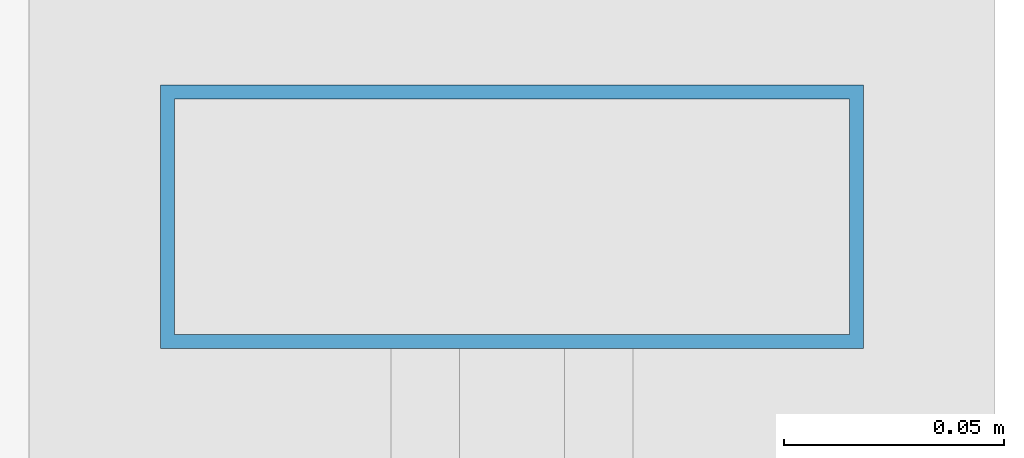
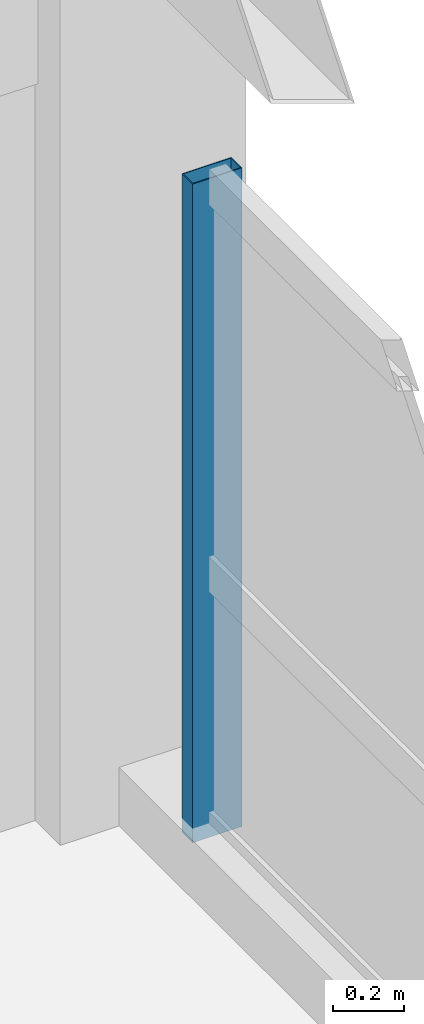
# One storey, part 17 of 22: 1 member, 1 element without a shape of its own.
"""IFC4 building model written with IfcOpenShell, lengths in metres."""

from ifc_helpers import new_model, si_unit, direction, frame, origin, origin_2d, place, context, subcontext, project, spatial, hollow_rectangle, extrude, material, material_profile, profile_set, type_object, element, aggregate, save


model = new_model("IFC4")

# Units and contexts
model_context = context("Model", 3, precision=1e-05, world=origin(), true_north=direction((0.0, 1.0)))
body_context = subcontext(model_context, "Body", "Model", "MODEL_VIEW")
ifc_project = project(units=[si_unit("LENGTHUNIT", "METRE"), si_unit("AREAUNIT", "SQUARE_METRE"), si_unit("VOLUMEUNIT", "CUBIC_METRE"), si_unit("PLANEANGLEUNIT", "RADIAN"), si_unit("MASSUNIT", "GRAM", prefix="KILO")], contexts=[model_context])

# Site, building, storey
site_placement = place(None, origin())
site = spatial("IfcSite", under=ifc_project, at=site_placement, CompositionType="ELEMENT")
building_placement = place(site_placement, origin())
building = spatial("IfcBuilding", under=site, at=building_placement, Name="Kaldorvane Square Convention Centre", CompositionType="ELEMENT")
storey_placement = place(building_placement, frame((0.0, 0.0, 67.19999694824219)))
storey = spatial("IfcBuildingStorey", under=building, at=storey_placement, Name="L16", CompositionType="ELEMENT", Elevation=67.19999694824219)

# Curtain wall, member
ifc_material = material(Name="Anodized Aluminum and Low-E Insulated Glazing", Category="aluminium")
curtain_wall_type = type_object("IfcCurtainWallType", Name="CW-UNI-HTL-A", PredefinedType="USERDEFINED", material=ifc_material)
curtain_wall_placement = place(storey_placement, origin())
curtain_wall = element("IfcCurtainWall", 1, at=curtain_wall_placement, inside=storey, type_object=curtain_wall_type, Name="Curtain Wall CW-10 (L16)", ObjectType="UNITISED GLAZING", PredefinedType="USERDEFINED")
ifc_material_profile = material_profile(ifc_material, hollow_rectangle(XDim=0.05999755859375, YDim=0.160003662109375, WallThickness=0.003204345703125, at=origin_2d()), Name="CWM-160X60")
ifc_profile_set = profile_set([ifc_material_profile], Name="Anodized Aluminum and Low-E Insulated Glazing")
member_type = type_object("IfcMemberType", Name="CW-MUL-160", PredefinedType="MULLION", material=ifc_profile_set)
member_placement = place(storey_placement, frame((78.0, 116.3699951171875, 0.1500091552734375), z_axis=(0.0, 0.0, 1.0), x_axis=(0.0, 1.0, 0.0)))
member = element("IfcMember", 2, at=member_placement, type_object=member_type, Name="CW-10 mullion 4", PredefinedType="MULLION", context=body_context, shape_type="SweptSolid", body=[
    extrude(hollow_rectangle(XDim=0.05999755859375, YDim=0.160003662109375, WallThickness=0.003204345703125, at=origin_2d()), origin(), (0.0, 0.0, 1.0), 2.25),
])
aggregate(curtain_wall, [member])

save(model, "model.ifc")
